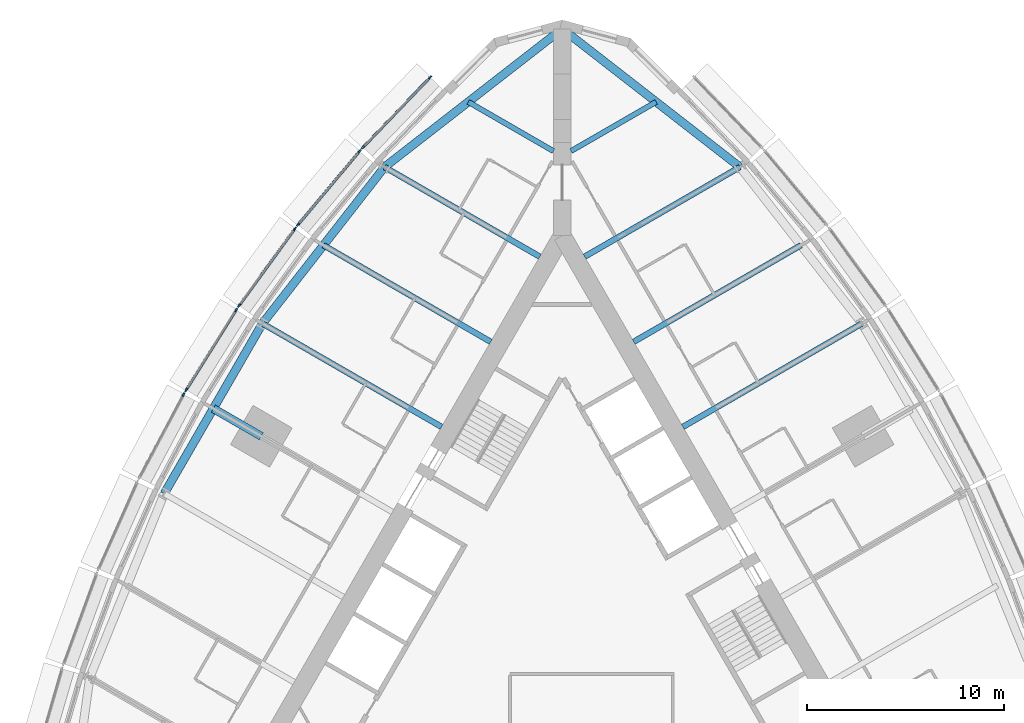
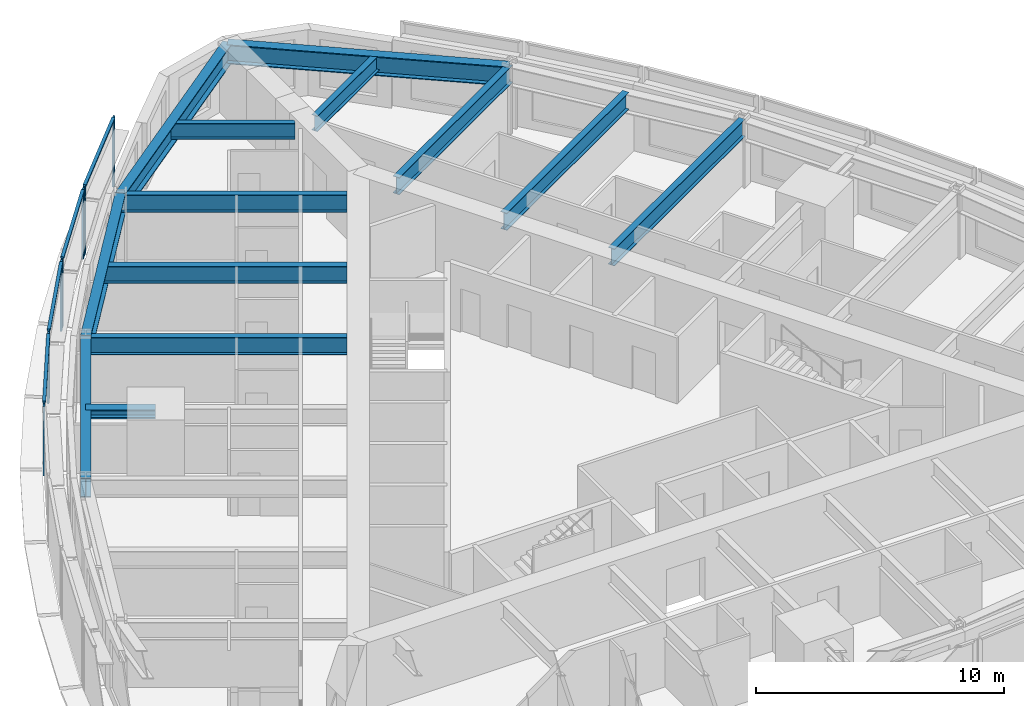
# One storey, part 4 of 14: 13 beams, 13 members, 5 elements without a shape of their own.
"""IFC4 building model written with IfcOpenShell, lengths in metres."""

from ifc_helpers import new_model, si_unit, direction, frame, origin, origin_2d, place, context, subcontext, project, spatial, rectangle, i_section, extrude, material, material_profile, profile_set, type_object, element, aggregate, save


model = new_model("IFC4")

# Units and contexts
model_context = context("Model", 3, precision=1e-05, world=origin(), true_north=direction((0.0, 1.0)))
body_context = subcontext(model_context, "Body", "Model", "MODEL_VIEW")
ifc_project = project(units=[si_unit("LENGTHUNIT", "METRE"), si_unit("AREAUNIT", "SQUARE_METRE"), si_unit("VOLUMEUNIT", "CUBIC_METRE"), si_unit("PLANEANGLEUNIT", "RADIAN"), si_unit("MASSUNIT", "GRAM", prefix="KILO")], contexts=[model_context])

# Site, building, storey
site_placement = place(None, origin())
site = spatial("IfcSite", under=ifc_project, at=site_placement, CompositionType="ELEMENT")
building_placement = place(site_placement, origin())
building = spatial("IfcBuilding", under=site, at=building_placement, Name="Trikona Tower", CompositionType="ELEMENT")
storey_placement = place(building_placement, frame((0.0, 0.0, 121.5)))
storey = spatial("IfcBuildingStorey", under=building, at=storey_placement, Name="L31", CompositionType="ELEMENT", Elevation=121.5)

# Curtain wall, members
ifc_material_1 = material(Name="Aluminium curtain wall system", Category="aluminium")
curtain_wall_type = type_object("IfcCurtainWallType", Name="Curtain wall DS2", PredefinedType="NOTDEFINED", material=ifc_material_1)
curtain_wall_1_placement = place(storey_placement, origin())
curtain_wall_1 = element("IfcCurtainWall", 1, at=curtain_wall_1_placement, inside=storey, type_object=curtain_wall_type, Name="Curtain wall DS2 L31", PredefinedType="NOTDEFINED")
ifc_material_2 = material(Name="Aluminium mullion, pale anodised", Category="aluminium")
ifc_material_profile_1 = material_profile(ifc_material_2, rectangle(XDim=0.080078125, YDim=0.199951171875, at=origin_2d()), Name="MUL-DS2")
ifc_profile_set_1 = profile_set([ifc_material_profile_1], Name="Aluminium mullion, pale anodised")
member_type_1 = type_object("IfcMemberType", Name="Mullion DS2 80x200", PredefinedType="MULLION", material=ifc_profile_set_1)
member_1_placement = place(storey_placement, frame((-6.718994140625, 27.1083984375, 0.0), z_axis=(0.0, 0.0, 1.0), x_axis=(0.722158330767, -0.691727797117, 0.0)))
member_1 = element("IfcMember", 2, at=member_1_placement, type_object=member_type_1, Name="CW-DS2 mullion 1", PredefinedType="MULLION", context=body_context, shape_type="SweptSolid", body=[
    extrude(rectangle(XDim=0.080078125, YDim=0.199951171875, at=origin_2d()), origin(), (0.0, 0.0, 1.0), 3.39990234375),
])
member_2_placement = place(storey_placement, frame((-10.1416015625, 23.535400390625, 0.0), z_axis=(0.0, 0.0, 1.0), x_axis=(0.722158330767, -0.691727797117, 0.0)))
member_2 = element("IfcMember", 3, at=member_2_placement, type_object=member_type_1, Name="CW-DS2 mullion 2", PredefinedType="MULLION", context=body_context, shape_type="SweptSolid", body=[
    extrude(rectangle(XDim=0.080078125, YDim=0.199951171875, at=origin_2d()), origin(), (0.0, 0.0, 1.0), 3.39990234375),
])

curtain_wall_2_placement = place(storey_placement, origin())
curtain_wall_2 = element("IfcCurtainWall", 4, at=curtain_wall_2_placement, inside=storey, type_object=curtain_wall_type, Name="Curtain wall DS2 L31", PredefinedType="NOTDEFINED")
member_3_placement = place(storey_placement, frame((-10.315185546875, 23.34130859375, 0.0), z_axis=(0.0, 0.0, 1.0), x_axis=(0.766866678271, -0.641806433248, 0.0)))
member_3 = element("IfcMember", 5, at=member_3_placement, type_object=member_type_1, Name="CW-DS2 mullion 1", PredefinedType="MULLION", context=body_context, shape_type="SweptSolid", body=[
    extrude(rectangle(XDim=0.080078125, YDim=0.199951171875, at=origin_2d()), origin(), (0.0, 0.0, 1.0), 3.39990234375),
])
member_4_placement = place(storey_placement, frame((-13.44482421875, 19.602294921875, 0.0), z_axis=(0.0, 0.0, 1.0), x_axis=(0.766866678271, -0.641806433248, 0.0)))
member_4 = element("IfcMember", 6, at=member_4_placement, type_object=member_type_1, Name="CW-DS2 mullion 2", PredefinedType="MULLION", context=body_context, shape_type="SweptSolid", body=[
    extrude(rectangle(XDim=0.080078125, YDim=0.199951171875, at=origin_2d()), origin(), (0.0, 0.0, 1.0), 3.39990234375),
])

curtain_wall_3_placement = place(storey_placement, origin())
curtain_wall_3 = element("IfcCurtainWall", 7, at=curtain_wall_3_placement, inside=storey, type_object=curtain_wall_type, Name="Curtain wall DS2 L31", PredefinedType="NOTDEFINED")
member_5_placement = place(storey_placement, frame((-13.605712890625, 19.39599609375, 0.0), z_axis=(0.0, 0.0, 1.0), x_axis=(0.80908576332, -0.587690588313, 0.0)))
member_5 = element("IfcMember", 8, at=member_5_placement, type_object=member_type_1, Name="CW-DS2 mullion 1", PredefinedType="MULLION", context=body_context, shape_type="SweptSolid", body=[
    extrude(rectangle(XDim=0.080078125, YDim=0.199951171875, at=origin_2d()), origin(), (0.0, 0.0, 1.0), 3.39990234375),
])
member_6_placement = place(storey_placement, frame((-16.442626953125, 15.489990234375, 0.0), z_axis=(0.0, 0.0, 1.0), x_axis=(0.80908576332, -0.587690588313, 0.0)))
member_6 = element("IfcMember", 9, at=member_6_placement, type_object=member_type_1, Name="CW-DS2 mullion 2", PredefinedType="MULLION", context=body_context, shape_type="SweptSolid", body=[
    extrude(rectangle(XDim=0.080078125, YDim=0.199951171875, at=origin_2d()), origin(), (0.0, 0.0, 1.0), 3.39990234375),
])

curtain_wall_4_placement = place(storey_placement, origin())
curtain_wall_4 = element("IfcCurtainWall", 10, at=curtain_wall_4_placement, inside=storey, type_object=curtain_wall_type, Name="Curtain wall DS2 L31", PredefinedType="NOTDEFINED")
member_7_placement = place(storey_placement, frame((-16.589599609375, 15.2724609375, 0.0), z_axis=(0.0, 0.0, 1.0), x_axis=(0.847998304006, -0.529998940002, 0.0)))
member_7 = element("IfcMember", 11, at=member_7_placement, type_object=member_type_1, Name="CW-DS2 mullion 1", PredefinedType="MULLION", context=body_context, shape_type="SweptSolid", body=[
    extrude(rectangle(XDim=0.080078125, YDim=0.199951171875, at=origin_2d()), origin(), (0.0, 0.0, 1.0), 3.39990234375),
])
member_8_placement = place(storey_placement, frame((-19.135009765625, 11.199462890625, 0.0), z_axis=(0.0, 0.0, 1.0), x_axis=(0.847998304006, -0.529998940002, 0.0)))
member_8 = element("IfcMember", 12, at=member_8_placement, type_object=member_type_1, Name="CW-DS2 mullion 2", PredefinedType="MULLION", context=body_context, shape_type="SweptSolid", body=[
    extrude(rectangle(XDim=0.080078125, YDim=0.199951171875, at=origin_2d()), origin(), (0.0, 0.0, 1.0), 3.39990234375),
])

# Curtain wall, member
curtain_wall_5_placement = place(storey_placement, origin())
curtain_wall_5 = element("IfcCurtainWall", 13, at=curtain_wall_5_placement, inside=storey, type_object=curtain_wall_type, Name="Curtain wall DS2 L31", PredefinedType="NOTDEFINED")
member_9_placement = place(storey_placement, frame((-19.2666015625, 10.9716796875, 0.0), z_axis=(0.0, 0.0, 1.0), x_axis=(0.882996107343, -0.469380308937, 0.0)))
member_9 = element("IfcMember", 14, at=member_9_placement, type_object=member_type_1, Name="CW-DS2 mullion 1", PredefinedType="MULLION", context=body_context, shape_type="SweptSolid", body=[
    extrude(rectangle(XDim=0.080078125, YDim=0.199951171875, at=origin_2d()), origin(), (0.0, 0.0, 1.0), 3.39990234375),
])
aggregate(curtain_wall_5, [member_9])

# Beams
ifc_material_3 = material(Name="Steel ASTM A992 Grade 50", Category="steel")
ifc_material_profile_2 = material_profile(ifc_material_3, i_section(OverallWidth=0.419189453125, OverallDepth=0.45458984375, WebThickness=0.042236328125, FlangeThickness=0.067626953125, at=origin_2d()), Name="W14X370")
ifc_profile_set_2 = profile_set([ifc_material_profile_2], Name="Steel ASTM A992 Grade 50")
beam_type_1 = type_object("IfcBeamType", Name="Steel beam W14x370 (apex bracket)", PredefinedType="BEAM", material=ifc_profile_set_2)
beam_1_placement = place(storey_placement, frame((-15.311767578125, 8.84033203125, 3.0078125), z_axis=(-0.86605005072, 0.499957307824, 0.0), x_axis=(-0.499957307824, -0.86605005072, 0.0)))
element("IfcBeam", 15, at=beam_1_placement, inside=storey, type_object=beam_type_1, Name="Cantilever bracket L32 F3", PredefinedType="BEAM", context=body_context, shape_type="SweptSolid", body=[
    extrude(i_section(OverallWidth=0.419189453125, OverallDepth=0.45458984375, WebThickness=0.042236328125, FlangeThickness=0.067626953125, at=origin_2d()), origin(), (0.0, 0.0, 1.0), 2.819580078125),
])
ifc_material_4 = material(Name="Steel ASTM A992 Grade 50", Category="steel")
ifc_material_profile_3 = material_profile(ifc_material_4, i_section(OverallWidth=0.2666015625, OverallDepth=0.76953125, WebThickness=0.015625, FlangeThickness=0.025390625, at=origin_2d()), Name="W30X132")
ifc_profile_set_3 = profile_set([ifc_material_profile_3], Name="Steel ASTM A992 Grade 50")
beam_type_2 = type_object("IfcBeamType", Name="Steel beam W30x132 (wedge)", PredefinedType="BEAM", material=ifc_profile_set_3)
for number, where, z_axis, x_axis, name in (
    (16, (0.449951171875, 23.353759765625, 2.85009765625), (0.866038434829, 0.49997742889, 0.0), (-0.49997742889, 0.866038434829, 0.0), "Floor beam L32 F2 u20"),
    (17, (-0.449951171875, 23.353759765625, 2.85009765625), (-0.866038434829, 0.49997742889, 0.0), (-0.49997742889, -0.866038434829, 0.0), "Floor beam L32 F3 u-20"),
):
    element("IfcBeam", number, at=place(storey_placement, frame(where, z_axis=z_axis, x_axis=x_axis)), inside=storey, type_object=beam_type_2, Name=name, PredefinedType="BEAM", context=body_context, shape_type="SweptSolid", body=[
        extrude(i_section(OverallWidth=0.2666015625, OverallDepth=0.76953125, WebThickness=0.015625, FlangeThickness=0.025390625, at=origin_2d()), origin(), (0.0, 0.0, 1.0), 5.000732421875),
    ])
ifc_material_5 = material(Name="Steel ASTM A992 Grade 50", Category="steel")
ifc_material_profile_4 = material_profile(ifc_material_5, i_section(OverallWidth=0.2919921875, OverallDepth=0.845703125, WebThickness=0.015380859375, FlangeThickness=0.0244140625, at=origin_2d()), Name="W33X141")
ifc_profile_set_4 = profile_set([ifc_material_profile_4], Name="Steel ASTM A992 Grade 50")
beam_type_3 = type_object("IfcBeamType", Name="Steel beam W33x141 (radial typ)", PredefinedType="BEAM", material=ifc_profile_set_4)
beam_2_placement = place(storey_placement, frame((6.1396484375, 9.318359375, 2.81201171875), z_axis=(0.866036080828, 0.499981506362, 0.0), x_axis=(-0.499981506362, 0.866036080828, 0.0)))
element("IfcBeam", 18, at=beam_2_placement, inside=storey, type_object=beam_type_3, Name="Floor beam L32 F2 u5", PredefinedType="BEAM", context=body_context, shape_type="SweptSolid", body=[
    extrude(i_section(OverallWidth=0.2919921875, OverallDepth=0.845703125, WebThickness=0.015380859375, FlangeThickness=0.0244140625, at=origin_2d()), origin(), (0.0, 0.0, 1.0), 10.52392578125),
])
beam_3_placement = place(storey_placement, frame((3.6396484375, 13.6484375, 2.81201171875), z_axis=(0.866030807744, 0.499990639951, 0.0), x_axis=(-0.499990639951, 0.866030807744, 0.0)))
element("IfcBeam", 19, at=beam_3_placement, inside=storey, type_object=beam_type_3, Name="Floor beam L32 F2 u10", PredefinedType="BEAM", context=body_context, shape_type="SweptSolid", body=[
    extrude(i_section(OverallWidth=0.2919921875, OverallDepth=0.845703125, WebThickness=0.015380859375, FlangeThickness=0.0244140625, at=origin_2d()), origin(), (0.0, 0.0, 1.0), 9.823974609375),
])
for number, where, z_axis, x_axis, name in (
    (20, (1.1396484375, 17.978515625, 2.81201171875), (0.866024725532, 0.500001174766, 0.0), (-0.500001174766, 0.866024725532, 0.0), "Floor beam L32 F2 u15"),
    (21, (-1.1396484375, 17.978515625, 2.81201171875), (-0.866024725532, 0.500001174766, 0.0), (-0.500001174766, -0.866024725532, 0.0), "Floor beam L32 F3 u-15"),
):
    element("IfcBeam", number, at=place(storey_placement, frame(where, z_axis=z_axis, x_axis=x_axis)), inside=storey, type_object=beam_type_3, Name=name, PredefinedType="BEAM", context=body_context, shape_type="SweptSolid", body=[
        extrude(i_section(OverallWidth=0.2919921875, OverallDepth=0.845703125, WebThickness=0.015380859375, FlangeThickness=0.0244140625, at=origin_2d()), origin(), (0.0, 0.0, 1.0), 9.1240234375),
    ])
beam_4_placement = place(storey_placement, frame((-3.6396484375, 13.6484375, 2.81201171875), z_axis=(-0.866030807744, 0.499990639951, 0.0), x_axis=(-0.499990639951, -0.866030807744, 0.0)))
element("IfcBeam", 22, at=beam_4_placement, inside=storey, type_object=beam_type_3, Name="Floor beam L32 F3 u-10", PredefinedType="BEAM", context=body_context, shape_type="SweptSolid", body=[
    extrude(i_section(OverallWidth=0.2919921875, OverallDepth=0.845703125, WebThickness=0.015380859375, FlangeThickness=0.0244140625, at=origin_2d()), origin(), (0.0, 0.0, 1.0), 9.823974609375),
])
beam_5_placement = place(storey_placement, frame((-6.1396484375, 9.318359375, 2.81201171875), z_axis=(-0.866036080828, 0.499981506362, 0.0), x_axis=(-0.499981506362, -0.866036080828, 0.0)))
element("IfcBeam", 23, at=beam_5_placement, inside=storey, type_object=beam_type_3, Name="Floor beam L32 F3 u-5", PredefinedType="BEAM", context=body_context, shape_type="SweptSolid", body=[
    extrude(i_section(OverallWidth=0.2919921875, OverallDepth=0.845703125, WebThickness=0.015380859375, FlangeThickness=0.0244140625, at=origin_2d()), origin(), (0.0, 0.0, 1.0), 10.52392578125),
])
ifc_material_6 = material(Name="Steel ASTM A992 Grade 50", Category="steel")
ifc_material_profile_5 = material_profile(ifc_material_6, i_section(OverallWidth=0.424072265625, OverallDepth=0.947509765625, WebThickness=0.02392578125, FlangeThickness=0.042724609375, at=origin_2d()), Name="W36X302")
ifc_profile_set_5 = profile_set([ifc_material_profile_5], Name="Steel ASTM A992 Grade 50")
beam_type_4 = type_object("IfcBeamType", Name="Steel beam W36x302 (spandrel)", PredefinedType="SPANDREL", material=ifc_profile_set_5)
for number, where, z_axis, x_axis, name in (
    (24, (9.041259765625, 22.54052734375, 2.76123046875), (-0.789367137808, 0.613921429621, 0.0), (-0.613921429621, -0.789367137808, 0.0), "Spandrel beam L32 F2-5"),
    (25, (0.0, 29.572265625, 2.76123046875), (-0.789367137808, -0.613921429621, 0.0), (0.613921429621, -0.789367137808, 0.0), "Spandrel beam L32 F3-1"),
):
    element("IfcBeam", number, at=place(storey_placement, frame(where, z_axis=z_axis, x_axis=x_axis)), inside=storey, type_object=beam_type_4, Name=name, PredefinedType="SPANDREL", context=body_context, shape_type="SweptSolid", body=[
        extrude(i_section(OverallWidth=0.424072265625, OverallDepth=0.947509765625, WebThickness=0.02392578125, FlangeThickness=0.042724609375, at=origin_2d()), origin(), (0.0, 0.0, 1.0), 11.453857421875),
    ])
beam_6_placement = place(storey_placement, frame((-9.041259765625, 22.54052734375, 2.76123046875), z_axis=(-0.615232009054, -0.788346101046, 0.0), x_axis=(0.788346101046, -0.615232009054, 0.0)))
element("IfcBeam", 26, at=beam_6_placement, inside=storey, type_object=beam_type_4, Name="Spandrel beam L32 F3-2", PredefinedType="SPANDREL", context=body_context, shape_type="SweptSolid", body=[
    extrude(i_section(OverallWidth=0.424072265625, OverallDepth=0.947509765625, WebThickness=0.02392578125, FlangeThickness=0.042724609375, at=origin_2d()), origin(), (0.0, 0.0, 1.0), 10.09765625),
])
beam_7_placement = place(storey_placement, frame((-15.253662109375, 14.580078125, 2.76123046875), z_axis=(-0.500004234368, -0.866022959057, 0.0), x_axis=(0.866022959057, -0.500004234368, 0.0)))
element("IfcBeam", 27, at=beam_7_placement, inside=storey, type_object=beam_type_4, Name="Spandrel beam L32 F3-3", PredefinedType="SPANDREL", context=body_context, shape_type="SweptSolid", body=[
    extrude(i_section(OverallWidth=0.424072265625, OverallDepth=0.947509765625, WebThickness=0.02392578125, FlangeThickness=0.042724609375, at=origin_2d()), origin(), (0.0, 0.0, 1.0), 10.0),
])

# Member
ifc_material_7 = material(Name="Aluminium transom, pale anodised", Category="aluminium")
ifc_material_profile_6 = material_profile(ifc_material_7, rectangle(XDim=0.139892578125, YDim=0.080078125, at=origin_2d()), Name="TRN-DS2")
ifc_profile_set_6 = profile_set([ifc_material_profile_6], Name="Aluminium transom, pale anodised")
member_type_2 = type_object("IfcMemberType", Name="Transom DS2 80x140", PredefinedType="USERDEFINED", material=ifc_profile_set_6)
member_10_placement = place(storey_placement, frame((-6.746826171875, 27.07958984375, 3.360107421875), z_axis=(-0.691721246785, -0.722164605022, 0.0), x_axis=(0.722164605022, -0.691721246785, 0.0)))
member_10 = element("IfcMember", 28, at=member_10_placement, type_object=member_type_2, Name="CW-DS2 transom 1.1", ObjectType="TRANSOM", PredefinedType="USERDEFINED", context=body_context, shape_type="SweptSolid", body=[
    extrude(rectangle(XDim=0.139892578125, YDim=0.080078125, at=origin_2d()), origin(), (0.0, 0.0, 1.0), 4.867919921875),
])

aggregate(curtain_wall_1, [member_1, member_2, member_10])

member_11_placement = place(storey_placement, frame((-10.341064453125, 23.310791015625, 3.360107421875), z_axis=(-0.641770294892, -0.766896921753, 0.0), x_axis=(0.766896921753, -0.641770294892, 0.0)))
member_11 = element("IfcMember", 29, at=member_11_placement, type_object=member_type_2, Name="CW-DS2 transom 1.1", ObjectType="TRANSOM", PredefinedType="USERDEFINED", context=body_context, shape_type="SweptSolid", body=[
    extrude(rectangle(XDim=0.139892578125, YDim=0.080078125, at=origin_2d()), origin(), (0.0, 0.0, 1.0), 4.7958984375),
])

aggregate(curtain_wall_2, [member_3, member_4, member_11])

member_12_placement = place(storey_placement, frame((-13.629150390625, 19.363525390625, 3.360107421875), z_axis=(-0.587694585883, -0.809082859616, 0.0), x_axis=(0.809082859616, -0.587694585883, 0.0)))
member_12 = element("IfcMember", 30, at=member_12_placement, type_object=member_type_2, Name="CW-DS2 transom 1.1", ObjectType="TRANSOM", PredefinedType="USERDEFINED", context=body_context, shape_type="SweptSolid", body=[
    extrude(rectangle(XDim=0.139892578125, YDim=0.080078125, at=origin_2d()), origin(), (0.0, 0.0, 1.0), 4.747314453125),
])

aggregate(curtain_wall_3, [member_5, member_6, member_12])

member_13_placement = place(storey_placement, frame((-16.610595703125, 15.238525390625, 3.360107421875), z_axis=(-0.530031463794, -0.847977975769, 0.0), x_axis=(0.847977975769, -0.530031463794, 0.0)))
member_13 = element("IfcMember", 31, at=member_13_placement, type_object=member_type_2, Name="CW-DS2 transom 1.1", ObjectType="TRANSOM", PredefinedType="USERDEFINED", context=body_context, shape_type="SweptSolid", body=[
    extrude(rectangle(XDim=0.139892578125, YDim=0.080078125, at=origin_2d()), origin(), (0.0, 0.0, 1.0), 4.72314453125),
])

aggregate(curtain_wall_4, [member_7, member_8, member_13])

save(model, "model.ifc")
